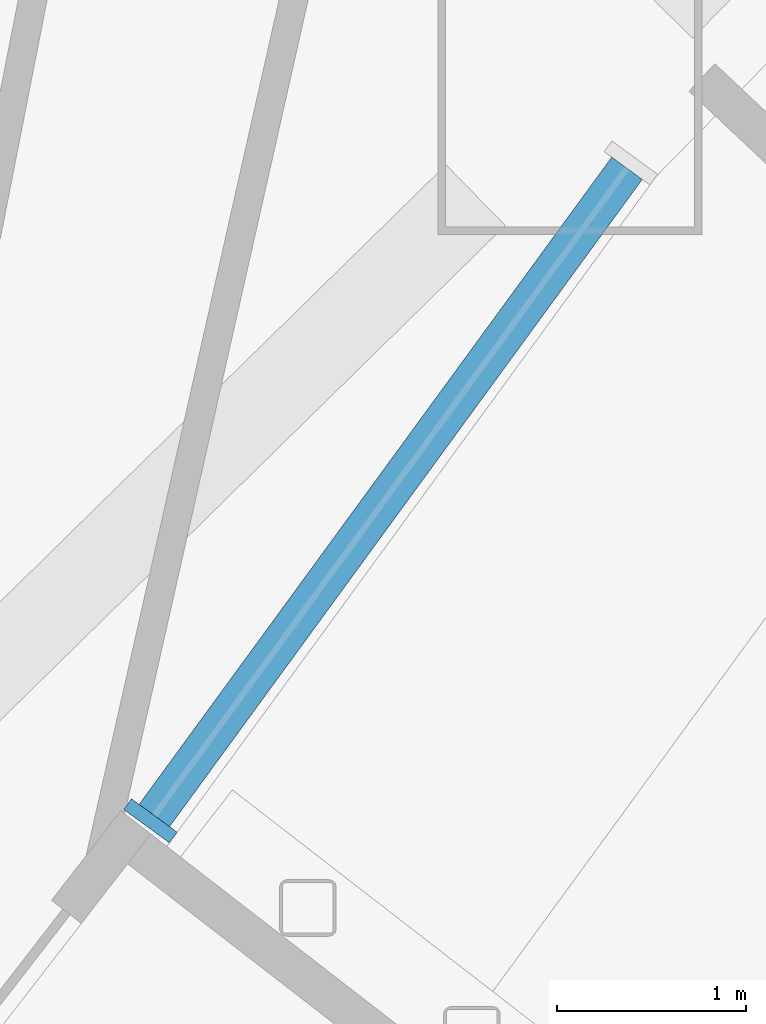
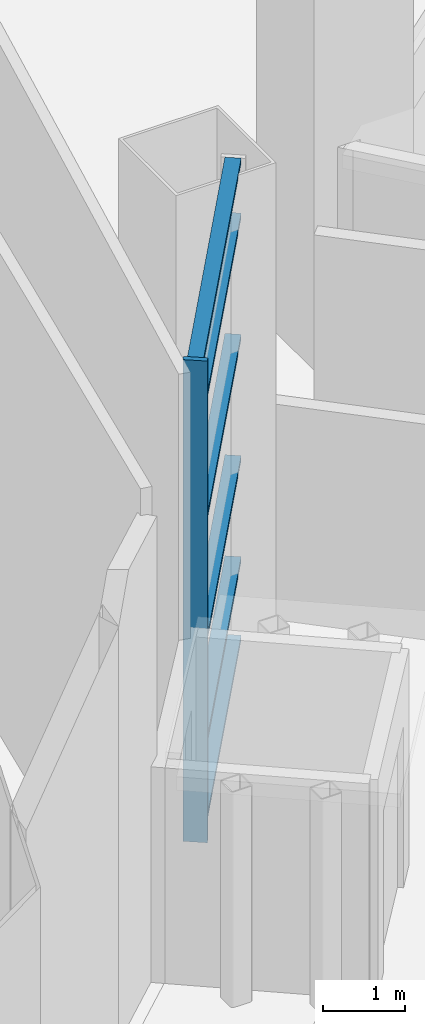
# One storey, part 9 of 45: 7 members, 1 element without a shape of its own.
"""IFC4 building model written with IfcOpenShell, lengths in metres."""

from ifc_helpers import new_model, si_unit, direction, frame, origin, origin_2d, place, context, subcontext, project, spatial, rectangle, extrude, material, layer, layer_set, material_profile, profile_set, type_object, element, aggregate, save


model = new_model("IFC4")

# Units and contexts
model_context = context("Model", 3, precision=1e-05, world=origin(), true_north=direction((0.0, 1.0)))
body_context = subcontext(model_context, "Body", "Model", "MODEL_VIEW")
ifc_project = project(units=[si_unit("LENGTHUNIT", "METRE"), si_unit("AREAUNIT", "SQUARE_METRE"), si_unit("VOLUMEUNIT", "CUBIC_METRE"), si_unit("PLANEANGLEUNIT", "RADIAN"), si_unit("MASSUNIT", "GRAM", prefix="KILO")], contexts=[model_context])

# Site, building, storey
site_placement = place(None, origin())
site = spatial("IfcSite", under=ifc_project, at=site_placement, CompositionType="ELEMENT")
building_placement = place(site_placement, origin())
building = spatial("IfcBuilding", under=site, at=building_placement, Name="Tuul Gate Civic Tower", CompositionType="ELEMENT")
storey_placement = place(building_placement, origin())
storey = spatial("IfcBuildingStorey", under=building, at=storey_placement, Name="Level 00", CompositionType="ELEMENT", Elevation=0.0)

# Curtain wall, members
ifc_material_1 = material(Name="Aluminium", Category="aluminium")
ifc_layer = layer(ifc_material_1, 0.199951171875)
ifc_layer_set = layer_set([ifc_layer], Name="Aluminium")
curtain_wall_type = type_object("IfcCurtainWallType", Name="Curtain wall CW1", PredefinedType="NOTDEFINED", material=ifc_layer_set)
curtain_wall_placement = place(storey_placement, origin())
curtain_wall = element("IfcCurtainWall", 1, at=curtain_wall_placement, inside=storey, type_object=curtain_wall_type, Name="Curtain wall CW1", PredefinedType="NOTDEFINED")
ifc_material_2 = material(Name="Aluminium", Category="aluminium")
ifc_material_profile_1 = material_profile(ifc_material_2, rectangle(XDim=0.300048828125, YDim=0.070068359375, at=origin_2d()), Name="CW1 mullion")
ifc_profile_set_1 = profile_set([ifc_material_profile_1], Name="Aluminium")
member_type_1 = type_object("IfcMemberType", Name="CW1 mullion", PredefinedType="MULLION", material=ifc_profile_set_1)
member_1_placement = place(storey_placement, frame((-37.717041015625, -33.724853515625, 0.0), z_axis=(0.0, 0.0, 1.0), x_axis=(-0.807581267659, 0.58975630232, 0.0)))
member_1 = element("IfcMember", 2, at=member_1_placement, type_object=member_type_1, Name="Mullion", PredefinedType="MULLION", context=body_context, shape_type="SweptSolid", body=[
    extrude(rectangle(XDim=0.300048828125, YDim=0.070068359375, at=origin_2d()), origin(), (0.0, 0.0, 1.0), 7.14990234375),
])
ifc_material_3 = material(Name="Aluminium", Category="aluminium")
ifc_material_profile_2 = material_profile(ifc_material_3, rectangle(XDim=0.199951171875, YDim=0.070068359375, at=origin_2d()), Name="CW1 transom")
ifc_profile_set_2 = profile_set([ifc_material_profile_2], Name="Aluminium")
member_type_2 = type_object("IfcMemberType", Name="CW1 transom", PredefinedType="USERDEFINED", material=ifc_profile_set_2)
member_2_placement = place(storey_placement, frame((-37.696533203125, -33.69677734375, 0.034912109375), z_axis=(0.589761716199, 0.807577314012, 0.0), x_axis=(-0.807577314012, 0.589761716199, 0.0)))
member_2 = element("IfcMember", 3, at=member_2_placement, type_object=member_type_2, Name="Transom", ObjectType="TRANSOM", PredefinedType="USERDEFINED", context=body_context, shape_type="SweptSolid", body=[
    extrude(rectangle(XDim=0.199951171875, YDim=0.070068359375, at=origin_2d()), origin(), (0.0, 0.0, 1.0), 4.25146484375),
])
member_3_placement = place(storey_placement, frame((-37.696533203125, -33.69677734375, 1.199951171875), z_axis=(0.589761716199, 0.807577314012, 0.0), x_axis=(-0.807577314012, 0.589761716199, 0.0)))
member_3 = element("IfcMember", 4, at=member_3_placement, type_object=member_type_2, Name="Transom", ObjectType="TRANSOM", PredefinedType="USERDEFINED", context=body_context, shape_type="SweptSolid", body=[
    extrude(rectangle(XDim=0.199951171875, YDim=0.070068359375, at=origin_2d()), origin(), (0.0, 0.0, 1.0), 4.25146484375),
])
member_4_placement = place(storey_placement, frame((-37.696533203125, -33.69677734375, 2.699951171875), z_axis=(0.589761716199, 0.807577314012, 0.0), x_axis=(-0.807577314012, 0.589761716199, 0.0)))
member_4 = element("IfcMember", 5, at=member_4_placement, type_object=member_type_2, Name="Transom", ObjectType="TRANSOM", PredefinedType="USERDEFINED", context=body_context, shape_type="SweptSolid", body=[
    extrude(rectangle(XDim=0.199951171875, YDim=0.070068359375, at=origin_2d()), origin(), (0.0, 0.0, 1.0), 4.25146484375),
])
member_5_placement = place(storey_placement, frame((-37.696533203125, -33.69677734375, 4.5), z_axis=(0.589761716199, 0.807577314012, 0.0), x_axis=(-0.807577314012, 0.589761716199, 0.0)))
member_5 = element("IfcMember", 6, at=member_5_placement, type_object=member_type_2, Name="Transom", ObjectType="TRANSOM", PredefinedType="USERDEFINED", context=body_context, shape_type="SweptSolid", body=[
    extrude(rectangle(XDim=0.199951171875, YDim=0.070068359375, at=origin_2d()), origin(), (0.0, 0.0, 1.0), 4.25146484375),
])
member_6_placement = place(storey_placement, frame((-37.696533203125, -33.69677734375, 6.300048828125), z_axis=(0.589761716199, 0.807577314012, 0.0), x_axis=(-0.807577314012, 0.589761716199, 0.0)))
member_6 = element("IfcMember", 7, at=member_6_placement, type_object=member_type_2, Name="Transom", ObjectType="TRANSOM", PredefinedType="USERDEFINED", context=body_context, shape_type="SweptSolid", body=[
    extrude(rectangle(XDim=0.199951171875, YDim=0.070068359375, at=origin_2d()), origin(), (0.0, 0.0, 1.0), 4.25146484375),
])
member_7_placement = place(storey_placement, frame((-37.696533203125, -33.69677734375, 7.114990234375), z_axis=(0.589761716199, 0.807577314012, 0.0), x_axis=(-0.807577314012, 0.589761716199, 0.0)))
member_7 = element("IfcMember", 8, at=member_7_placement, type_object=member_type_2, Name="Transom", ObjectType="TRANSOM", PredefinedType="USERDEFINED", context=body_context, shape_type="SweptSolid", body=[
    extrude(rectangle(XDim=0.199951171875, YDim=0.070068359375, at=origin_2d()), origin(), (0.0, 0.0, 1.0), 4.25146484375),
])
aggregate(curtain_wall, [member_1, member_2, member_3, member_4, member_5, member_6, member_7])

save(model, "model.ifc")
